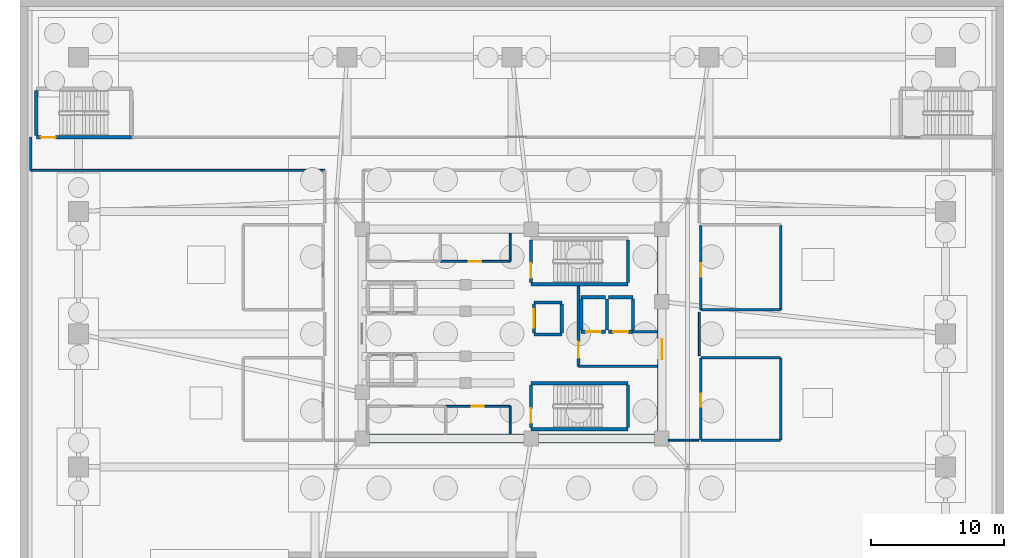
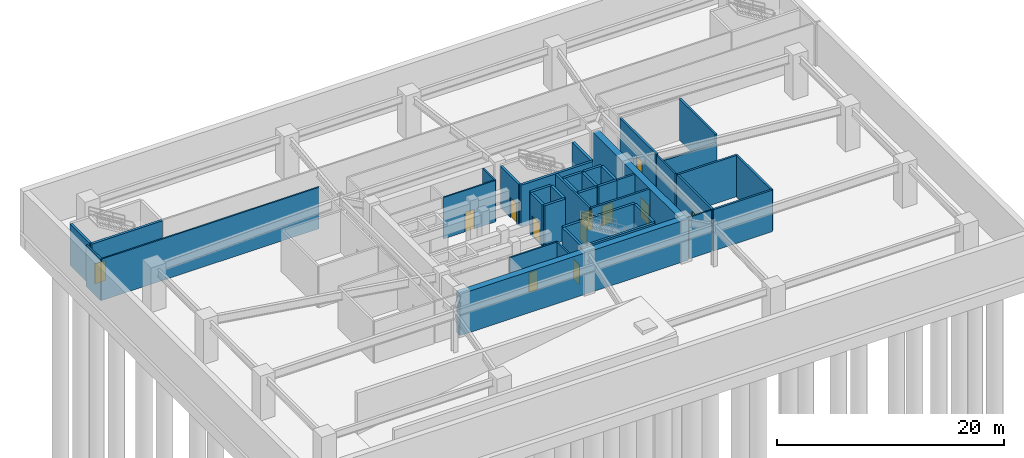
# One storey, part 5 of 8: 40 walls, 12 doors, 12 openings.
"""IFC4 building model written with IfcOpenShell, lengths in metres."""

import ifcopenshell
import ifcopenshell.guid

model = None  # the IFC model being written
_history = None  # IfcOwnerHistory: only IFC2X3 demands one
_inside = {}  # id of a spatial element -> (the spatial element, [elements in it])
_under = {}  # id of a project, library or spatial element -> (it, [spatial elements below it])
_declared = {}  # id of a project -> (the project, [libraries it declares])
_typed = {}  # id of a type object -> (the type object, [elements of that type])
_made_of = {}  # id of a material, layer set ... -> (it, [elements and type objects made of it])


def new_model(schema):
    """Start an empty IFC model of exactly this schema.

    Asked for "IFC4X3", IfcOpenShell would pick the latest addendum, in which some entities
    have other attributes; the version numbers below select the first issue.
    IFC2X3 requires an IfcOwnerHistory on every rooted entity: one is made here for all.
    """
    global model, _history
    if schema == "IFC4X3":
        model = ifcopenshell.file(schema_version=(4, 3, 0, 0))
    else:
        model = ifcopenshell.file(schema=schema)
    _inside.clear()
    _under.clear()
    _declared.clear()
    _typed.clear()
    _made_of.clear()
    _history = None
    if model.schema == "IFC2X3":
        org = make("IfcOrganization", Name="unknown")
        user = make(
            "IfcPersonAndOrganization",
            ThePerson=make("IfcPerson", FamilyName="unknown"),
            TheOrganization=org,
        )
        app = make(
            "IfcApplication",
            ApplicationDeveloper=org,
            Version="unknown",
            ApplicationFullName="unknown",
            ApplicationIdentifier="unknown",
        )
        _history = make(
            "IfcOwnerHistory",
            OwningUser=user,
            OwningApplication=app,
            ChangeAction="ADDED",
            CreationDate=0,
        )
    return model


def make(cls, **values):
    """One entity of the class cls with the attributes given. An attribute that is None is left unset."""
    return model.create_entity(
        cls, **{name: value for name, value in values.items() if value is not None}
    )


def rooted(cls, **values):
    """An entity with a GlobalId (a new one), such as an element, a storey or a relation."""
    return make(cls, GlobalId=ifcopenshell.guid.new(), OwnerHistory=_history, **values)


def si_unit(unit_type, name, prefix=None):
    """IfcSIUnit, for example si_unit("LENGTHUNIT", "METRE", prefix="MILLI")."""
    return make("IfcSIUnit", UnitType=unit_type, Prefix=prefix, Name=name)


def assignment(units):
    """IfcUnitAssignment: the units of a project."""
    return None if units is None else make("IfcUnitAssignment", Units=units)


def point(xyz):
    """IfcCartesianPoint."""
    return None if xyz is None else make("IfcCartesianPoint", Coordinates=xyz)


def direction(xyz):
    """IfcDirection."""
    return None if xyz is None else make("IfcDirection", DirectionRatios=xyz)


def frame(location, z_axis=None, x_axis=None):
    """IfcAxis2Placement3D, a coordinate frame: its origin and axes. An axis left out is left unset."""
    return make(
        "IfcAxis2Placement3D",
        Location=point(location),
        Axis=direction(z_axis),
        RefDirection=direction(x_axis),
    )


def frame_2d(location, x_axis=None):
    """IfcAxis2Placement2D, a coordinate frame in the plane: its origin and x axis."""
    return make(
        "IfcAxis2Placement2D", Location=point(location), RefDirection=direction(x_axis)
    )


def origin():
    """The frame at (0, 0, 0) with its axes left unset."""
    return frame((0.0, 0.0, 0.0))


def place(relative_to, where):
    """IfcLocalPlacement: puts the frame where relative to a parent placement (None: the world)."""
    return make(
        "IfcLocalPlacement", PlacementRelTo=relative_to, RelativePlacement=where
    )


def context(
    kind, dimensions, precision=None, world=None, true_north=None, identifier=None
):
    """IfcGeometricRepresentationContext, for example the 3D "Model" context."""
    return make(
        "IfcGeometricRepresentationContext",
        ContextIdentifier=identifier,
        ContextType=kind,
        CoordinateSpaceDimension=dimensions,
        Precision=precision,
        WorldCoordinateSystem=world,
        TrueNorth=true_north,
    )


def subcontext(parent, identifier, kind, view, scale=None):
    """IfcGeometricRepresentationSubContext, for example "Body" below "Model"."""
    return make(
        "IfcGeometricRepresentationSubContext",
        ContextIdentifier=identifier,
        ContextType=kind,
        ParentContext=parent,
        TargetScale=scale,
        TargetView=view,
    )


def project(units=None, contexts=None):
    """IfcProject with its units and contexts."""
    return rooted(
        "IfcProject",
        Name="project",
        RepresentationContexts=contexts,
        UnitsInContext=assignment(units),
    )


def spatial(cls, under=None, at=None, **own):
    """A site, building, storey or space (cls), placed at a placement, below another one or the project."""
    s = rooted(cls, ObjectPlacement=at, **own)
    if under is not None:
        _under.setdefault(under.id(), (under, []))[1].append(s)
    return s


def profile(cls, at=None, kind="AREA", **sizes):
    """A parametric profile (cls). Its sizes go by their IFC names, for example OverallWidth=200.0."""
    return make(cls, ProfileType=kind, Position=at, **sizes)


def rectangle(**sizes):
    """IfcRectangleProfileDef."""
    return profile("IfcRectangleProfileDef", **sizes)


def extrude(swept, where, along, depth):
    """IfcExtrudedAreaSolid: the profile swept, set in the frame where, extruded along a direction by depth."""
    return make(
        "IfcExtrudedAreaSolid",
        SweptArea=swept,
        Position=where,
        ExtrudedDirection=direction(along),
        Depth=depth,
    )


def shape(context_of_items, identifier, shape_type, items):
    """IfcShapeRepresentation: the items that make up one representation, for example the "Body"."""
    return make(
        "IfcShapeRepresentation",
        ContextOfItems=context_of_items,
        RepresentationIdentifier=identifier,
        RepresentationType=shape_type,
        Items=items,
    )


def material(Name=None, Category=None):
    """IfcMaterial."""
    return make("IfcMaterial", Name=Name, Category=Category)


def layer(
    of_material, thickness, ventilated=None, Name=None, Category=None, Priority=None
):
    """IfcMaterialLayer: one layer of a wall or slab, of a material (None: an air gap)."""
    return make(
        "IfcMaterialLayer",
        Material=of_material,
        LayerThickness=thickness,
        IsVentilated=ventilated,
        Name=Name,
        Category=Category,
        Priority=Priority,
    )


def layer_set(layers, Name=None):
    """IfcMaterialLayerSet."""
    return make("IfcMaterialLayerSet", MaterialLayers=layers, LayerSetName=Name)


def made_of(thing, what):
    """Note that an element or type object is made of a material, layer set ...; save() writes the relation."""
    if what is not None:
        _made_of.setdefault(what.id(), (what, []))[1].append(thing)
    return thing


def type_object(cls, material=None, **own):
    """A type object (cls), such as IfcWallType, which elements share."""
    return made_of(rooted(cls, **own), material)


def element(
    cls,
    number,
    at=None,
    inside=None,
    cuts=None,
    type_object=None,
    material=None,
    context=None,
    identifier="Body",
    shape_type=None,
    held_by="IfcProductDefinitionShape",
    body=None,
    shapes=None,
    **own,
):
    """One element of the class cls, such as IfcWall. Its Tag is "e" and its number.

    at: its placement. inside: the storey or other place that contains it. cuts: it is an
    opening in that element (IfcRelVoidsElement). A single representation is given by context,
    identifier, shape_type and body (its items); several are given by shapes. held_by: the class
    of the entity that holds the representations. save() writes the other relations.
    """
    e = rooted(cls, Tag="e%d" % number, ObjectPlacement=at, **own)
    if body is not None:
        shapes = [shape(context, identifier, shape_type, body)]
    if shapes is not None:
        e.Representation = make(held_by, Representations=shapes)
    if inside is not None:
        _inside.setdefault(inside.id(), (inside, []))[1].append(e)
    if cuts is not None:
        rooted(
            "IfcRelVoidsElement", RelatingBuildingElement=cuts, RelatedOpeningElement=e
        )
    if type_object is not None:
        _typed.setdefault(type_object.id(), (type_object, []))[1].append(e)
    return made_of(e, material)


def fill(opening, filler):
    """IfcRelFillsElement: the door or window that sits in an opening."""
    return rooted(
        "IfcRelFillsElement",
        RelatingOpeningElement=opening,
        RelatedBuildingElement=filler,
    )


def aggregate(whole, parts):
    """IfcRelAggregates: a whole, such as a stair, and the parts it consists of."""
    return rooted("IfcRelAggregates", RelatingObject=whole, RelatedObjects=parts)


def save(model, path):
    """Write the relations noted so far, then the file.

    IfcRelAggregates (storeys below a building ...), IfcRelContainedInSpatialStructure (elements
    in a storey), IfcRelDefinesByType, IfcRelAssociatesMaterial and IfcRelDeclares: one each for
    every whole, place, type object, material and project.
    """
    for whole, parts in _under.values():
        aggregate(whole, parts)
    for where, things in _inside.values():
        rooted(
            "IfcRelContainedInSpatialStructure",
            RelatedElements=things,
            RelatingStructure=where,
        )
    for kind, things in _typed.values():
        rooted("IfcRelDefinesByType", RelatedObjects=things, RelatingType=kind)
    for what, things in _made_of.values():
        rooted("IfcRelAssociatesMaterial", RelatedObjects=things, RelatingMaterial=what)
    for by, libraries in _declared.values():
        rooted("IfcRelDeclares", RelatingContext=by, RelatedDefinitions=libraries)
    model.write(path)


model = new_model("IFC4")

# Units and contexts
model_context = context("Model", 3, precision=1e-05, world=origin(), true_north=direction((0.0, 1.0)))
body_context = subcontext(model_context, "Body", "Model", "MODEL_VIEW")
ifc_project = project(units=[si_unit("LENGTHUNIT", "METRE"), si_unit("AREAUNIT", "SQUARE_METRE"), si_unit("VOLUMEUNIT", "CUBIC_METRE"), si_unit("PLANEANGLEUNIT", "RADIAN"), si_unit("MASSUNIT", "GRAM", prefix="KILO")], contexts=[model_context])

# Site, building, storey
site_placement = place(None, origin())
site = spatial("IfcSite", under=ifc_project, at=site_placement, CompositionType="ELEMENT")
building_placement = place(site_placement, origin())
building = spatial("IfcBuilding", under=site, at=building_placement, Name="Zulverin Broadcast Headquarters", CompositionType="ELEMENT")
storey_placement = place(building_placement, frame((0.0, 0.0, -9.60009765625)))
storey = spatial("IfcBuildingStorey", under=building, at=storey_placement, Name="B2", CompositionType="ELEMENT", Elevation=-9.60009765625)

# Wall
ifc_material_1 = material(Name="Concrete C60/75", Category="concrete")
ifc_layer_1 = layer(ifc_material_1, 0.64990234375, Name="Concrete C60/75", Category="concrete")
ifc_layer_set_1 = layer_set([ifc_layer_1], Name="Concrete C60/75")
wall_type_1 = type_object("IfcWallType", Name="WL-CORE-650", PredefinedType="SHEAR", material=ifc_layer_set_1)
wall_1_placement = place(storey_placement, frame((25.39990234375, 17.324951171875, 0.0), z_axis=(0.0, 0.0, 1.0), x_axis=(1.0, 0.0, 0.0)))
element("IfcWall", 1, at=wall_1_placement, inside=storey, type_object=wall_type_1, Name="B2 Core South Shear Wall", PredefinedType="SHEAR", context=body_context, shape_type="SweptSolid", body=[
    extrude(rectangle(XDim=23.2001953125, YDim=0.64990234375, at=frame_2d((11.60009765625, 0.0))), origin(), (0.0, 0.0, 1.0), 4.4501953125),
])

# Wall, opening, door
wall_2_placement = place(storey_placement, frame((48.27490234375, 17.64990234375, 0.0), z_axis=(0.0, 0.0, 1.0), x_axis=(0.0, 1.0, 0.0)))
wall_2 = element("IfcWall", 2, at=wall_2_placement, inside=storey, type_object=wall_type_1, Name="B2 Core East Shear Wall", PredefinedType="SHEAR", context=body_context, shape_type="SweptSolid", body=[
    extrude(rectangle(XDim=15.10009765625, YDim=0.64990234375, at=frame_2d((7.550048828125, 0.0))), origin(), (0.0, 0.0, 1.0), 4.4501953125),
])
opening_1_placement = place(wall_2_placement, frame((5.64990234375, 0.0, 0.0)))
opening_1 = element("IfcOpeningElement", 3, at=opening_1_placement, cuts=wall_2, Name="Opening D-B2-CE1", PredefinedType="OPENING", context=body_context, shape_type="SweptSolid", body=[
    extrude(rectangle(XDim=1.5, YDim=2.14990234375, at=frame_2d((0.75, 1.074951171875))), frame((0.0, 0.3349609375, 0.0), z_axis=(0.0, -1.0, 0.0), x_axis=(1.0, 0.0, 0.0)), (0.0, 0.0, 1.0), 0.669921875),
])
ifc_material_2 = material(Name="Fire-rated glazed steel frame", Category="steel")
door_type_1 = type_object("IfcDoorType", Name="DR-COR-1500", OperationType="DOUBLE_DOOR_SINGLE_SWING", PredefinedType="DOOR", material=ifc_material_2)
door_1_placement = place(opening_1_placement, origin())
door_1 = element("IfcDoor", 4, at=door_1_placement, inside=storey, type_object=door_type_1, Name="B2 Firefighting Lobby East Corridor Door", OperationType="DOUBLE_DOOR_SINGLE_SWING", OverallHeight=2.14990234375, OverallWidth=1.5, PredefinedType="DOOR", context=body_context, shape_type="SweptSolid", body=[
    extrude(rectangle(XDim=1.5, YDim=2.14990234375, at=frame_2d((0.75, 1.074951171875))), frame((0.0, 0.02490234375, 0.0), z_axis=(0.0, -1.0, 0.0), x_axis=(1.0, 0.0, 0.0)), (0.0, 0.0, 1.0), 0.050048828125),
])
fill(opening_1, door_1)

ifc_material_3 = material(Name="Concrete C40/50", Category="concrete")
ifc_layer_2 = layer(ifc_material_3, 0.199951171875, Name="Concrete C40/50", Category="concrete")
ifc_layer_set_2 = layer_set([ifc_layer_2], Name="Concrete C40/50")
wall_type_2 = type_object("IfcWallType", Name="WL-FFL-200", PredefinedType="SOLIDWALL", material=ifc_layer_set_2)
wall_3_placement = place(storey_placement, frame((42.0, 22.75, 0.0), z_axis=(0.0, 0.0, 1.0), x_axis=(0.0, 1.0, 0.0)))
wall_3 = element("IfcWall", 5, at=wall_3_placement, inside=storey, type_object=wall_type_2, Name="B2 Firefighting Lift Lobby West Wall", PredefinedType="SOLIDWALL", context=body_context, shape_type="SweptSolid", body=[
    extrude(rectangle(XDim=6.050048828125, YDim=0.199951171875, at=frame_2d((3.02490234375, 0.0))), origin(), (0.0, 0.0, 1.0), 4.4501953125),
])
opening_2_placement = place(wall_3_placement, frame((0.64990234375, 0.0, 0.0)))
opening_2 = element("IfcOpeningElement", 6, at=opening_2_placement, cuts=wall_3, Name="Opening D-B2-FFLW", PredefinedType="OPENING", context=body_context, shape_type="SweptSolid", body=[
    extrude(rectangle(XDim=1.199951171875, YDim=2.14990234375, at=frame_2d((0.60009765625, 1.074951171875))), frame((0.0, 0.10986328125, 0.0), z_axis=(0.0, -1.0, 0.0), x_axis=(1.0, 0.0, 0.0)), (0.0, 0.0, 1.0), 0.219970703125),
])
ifc_material_4 = material(Name="Fire-rated steel leaf and frame", Category="steel")
door_type_2 = type_object("IfcDoorType", Name="DR-FFL-1200", OperationType="SINGLE_SWING_RIGHT", PredefinedType="DOOR", material=ifc_material_4)
door_2_placement = place(opening_2_placement, origin())
door_2 = element("IfcDoor", 7, at=door_2_placement, inside=storey, type_object=door_type_2, Name="B2 Firefighting Lift Lobby Door", OperationType="SINGLE_SWING_RIGHT", OverallHeight=2.14990234375, OverallWidth=1.199951171875, PredefinedType="DOOR", context=body_context, shape_type="SweptSolid", body=[
    extrude(rectangle(XDim=1.199951171875, YDim=2.14990234375, at=frame_2d((0.60009765625, 1.074951171875))), frame((0.0, 0.02490234375, 0.0), z_axis=(0.0, -1.0, 0.0), x_axis=(1.0, 0.0, 0.0)), (0.0, 0.0, 1.0), 0.050048828125),
])
fill(opening_2, door_2)

# Walls
wall_4_placement = place(storey_placement, frame((42.0, 22.75, 0.0), z_axis=(0.0, 0.0, 1.0), x_axis=(1.0, 0.0, 0.0)))
element("IfcWall", 8, at=wall_4_placement, inside=storey, type_object=wall_type_2, Name="B2 Firefighting Lift Lobby South Wall", PredefinedType="SOLIDWALL", context=body_context, shape_type="SweptSolid", body=[
    extrude(rectangle(XDim=5.949951171875, YDim=0.199951171875, at=frame_2d((2.97509765625, 0.0))), origin(), (0.0, 0.0, 1.0), 4.4501953125),
])
wall_5_placement = place(storey_placement, frame((46.10009765625, 25.35009765625, 0.0), z_axis=(0.0, 0.0, 1.0), x_axis=(1.0, 0.0, 0.0)))
element("IfcWall", 9, at=wall_5_placement, inside=storey, type_object=wall_type_2, Name="B2 Firefighting Lift Lobby North Wall", PredefinedType="SOLIDWALL", context=body_context, shape_type="SweptSolid", body=[
    extrude(rectangle(XDim=1.849853515625, YDim=0.199951171875, at=frame_2d((0.9248046875, 0.0))), origin(), (0.0, 0.0, 1.0), 4.4501953125),
])
for number, where, z_axis, x_axis, name in (
    (10, (51.199951171875, 17.199951171875, 0.0), (0.0, 0.0, 1.0), (1.0, 0.0, 0.0), "B2 Sprinkler & Wet Riser Tank Room S Wall"),
    (11, (51.199951171875, 23.39990234375, 0.0), (0.0, 0.0, 1.0), (1.0, 0.0, 0.0), "B2 Sprinkler & Wet Riser Tank Room N Wall"),
):
    element("IfcWall", number, at=place(storey_placement, frame(where, z_axis=z_axis, x_axis=x_axis)), inside=storey, type_object=wall_type_2, Name=name, PredefinedType="SOLIDWALL", context=body_context, shape_type="SweptSolid", body=[
        extrude(rectangle(XDim=6.0, YDim=0.199951171875, at=frame_2d((3.0, 0.0))), origin(), (0.0, 0.0, 1.0), 4.4501953125),
    ])

# Wall, opening, door
wall_6_placement = place(storey_placement, frame((51.199951171875, 17.199951171875, 0.0), z_axis=(0.0, 0.0, 1.0), x_axis=(0.0, 1.0, 0.0)))
wall_6 = element("IfcWall", 12, at=wall_6_placement, inside=storey, type_object=wall_type_2, Name="B2 Sprinkler & Wet Riser Tank Room W Wall", PredefinedType="SOLIDWALL", context=body_context, shape_type="SweptSolid", body=[
    extrude(rectangle(XDim=6.199951171875, YDim=0.199951171875, at=frame_2d((3.10009765625, 0.0))), origin(), (0.0, 0.0, 1.0), 4.4501953125),
])
opening_3_placement = place(wall_6_placement, frame((2.5, 0.0, 0.0)))
opening_3 = element("IfcOpeningElement", 13, at=opening_3_placement, cuts=wall_6, Name="Opening D-B2-PLT3", PredefinedType="OPENING", context=body_context, shape_type="SweptSolid", body=[
    extrude(rectangle(XDim=1.0, YDim=2.1201171875, at=frame_2d((0.5, 1.06005859375))), frame((0.0, 0.10986328125, 0.0), z_axis=(0.0, -1.0, 0.0), x_axis=(1.0, 0.0, 0.0)), (0.0, 0.0, 1.0), 0.219970703125),
])
ifc_material_5 = material(Name="Hardwood veneer acoustic leaf", Category="wood")
door_type_3 = type_object("IfcDoorType", Name="DR-OFF-1000", OperationType="SINGLE_SWING_LEFT", PredefinedType="DOOR", material=ifc_material_5)
door_3_placement = place(opening_3_placement, origin())
door_3 = element("IfcDoor", 14, at=door_3_placement, inside=storey, type_object=door_type_3, Name="B2 Sprinkler & Wet Riser Tank Room Door", OperationType="SINGLE_SWING_LEFT", OverallHeight=2.1201171875, OverallWidth=1.0, PredefinedType="DOOR", context=body_context, shape_type="SweptSolid", body=[
    extrude(rectangle(XDim=1.0, YDim=2.1201171875, at=frame_2d((0.5, 1.06005859375))), frame((0.0, 0.02490234375, 0.0), z_axis=(0.0, -1.0, 0.0), x_axis=(1.0, 0.0, 0.0)), (0.0, 0.0, 1.0), 0.050048828125),
])
fill(opening_3, door_3)

# Walls
wall_7_placement = place(storey_placement, frame((57.199951171875, 17.199951171875, 0.0), z_axis=(0.0, 0.0, 1.0), x_axis=(0.0, 1.0, 0.0)))
element("IfcWall", 15, at=wall_7_placement, inside=storey, type_object=wall_type_2, Name="B2 Sprinkler & Wet Riser Tank Room E Wall", PredefinedType="SOLIDWALL", context=body_context, shape_type="SweptSolid", body=[
    extrude(rectangle(XDim=6.199951171875, YDim=0.199951171875, at=frame_2d((3.10009765625, 0.0))), origin(), (0.0, 0.0, 1.0), 4.4501953125),
])
wall_8_placement = place(storey_placement, frame((51.199951171875, 27.0, 0.0), z_axis=(0.0, 0.0, 1.0), x_axis=(1.0, 0.0, 0.0)))
element("IfcWall", 16, at=wall_8_placement, inside=storey, type_object=wall_type_2, Name="B2 Basement Smoke Extract Fan Plant Room S Wall", PredefinedType="SOLIDWALL", context=body_context, shape_type="SweptSolid", body=[
    extrude(rectangle(XDim=6.0, YDim=0.199951171875, at=frame_2d((3.0, 0.0))), origin(), (0.0, 0.0, 1.0), 3.550048828125),
])

# Wall, opening, door
wall_9_placement = place(storey_placement, frame((51.199951171875, 27.0, 0.0), z_axis=(0.0, 0.0, 1.0), x_axis=(0.0, 1.0, 0.0)))
wall_9 = element("IfcWall", 17, at=wall_9_placement, inside=storey, type_object=wall_type_2, Name="B2 Basement Smoke Extract Fan Plant Room W Wall", PredefinedType="SOLIDWALL", context=body_context, shape_type="SweptSolid", body=[
    extrude(rectangle(XDim=6.39990234375, YDim=0.199951171875, at=frame_2d((3.199951171875, 0.0))), origin(), (0.0, 0.0, 1.0), 4.4501953125),
])
opening_4_placement = place(wall_9_placement, frame((2.5, 0.0, 0.0)))
opening_4 = element("IfcOpeningElement", 18, at=opening_4_placement, cuts=wall_9, Name="Opening D-B2-PLT4", PredefinedType="OPENING", context=body_context, shape_type="SweptSolid", body=[
    extrude(rectangle(XDim=1.0, YDim=2.1201171875, at=frame_2d((0.5, 1.06005859375))), frame((0.0, 0.10986328125, 0.0), z_axis=(0.0, -1.0, 0.0), x_axis=(1.0, 0.0, 0.0)), (0.0, 0.0, 1.0), 0.219970703125),
])
door_4_placement = place(opening_4_placement, origin())
door_4 = element("IfcDoor", 19, at=door_4_placement, inside=storey, type_object=door_type_3, Name="B2 Basement Smoke Extract Fan Plant Room Door", OperationType="SINGLE_SWING_RIGHT", OverallHeight=2.1201171875, OverallWidth=1.0, PredefinedType="DOOR", context=body_context, shape_type="SweptSolid", body=[
    extrude(rectangle(XDim=1.0, YDim=2.1201171875, at=frame_2d((0.5, 1.06005859375))), frame((0.0, 0.02490234375, 0.0), z_axis=(0.0, -1.0, 0.0), x_axis=(1.0, 0.0, 0.0)), (0.0, 0.0, 1.0), 0.050048828125),
])
fill(opening_4, door_4)

# Wall
wall_10_placement = place(storey_placement, frame((57.199951171875, 27.0, 0.0), z_axis=(0.0, 0.0, 1.0), x_axis=(0.0, 1.0, 0.0)))
element("IfcWall", 20, at=wall_10_placement, inside=storey, type_object=wall_type_2, Name="B2 Basement Smoke Extract Fan Plant Room E Wall", PredefinedType="SOLIDWALL", context=body_context, shape_type="SweptSolid", body=[
    extrude(rectangle(XDim=6.39990234375, YDim=0.199951171875, at=frame_2d((3.199951171875, 0.0))), origin(), (0.0, 0.0, 1.0), 4.4501953125),
])

# Wall, opening, door
ifc_material_6 = material(Name="Fire-rated gypsum stud partition", Category="gypsum")
ifc_layer_3 = layer(ifc_material_6, 0.14990234375, Name="Fire-rated gypsum stud partition", Category="gypsum")
ifc_layer_set_3 = layer_set([ifc_layer_3], Name="Fire-rated gypsum stud partition")
wall_type_3 = type_object("IfcWallType", Name="WL-PART-150", PredefinedType="PARTITIONING", material=ifc_layer_set_3)
wall_11_placement = place(storey_placement, frame((31.590087890625, 30.64990234375, 0.0), z_axis=(0.0, 0.0, 1.0), x_axis=(1.0, 0.0, 0.0)))
wall_11 = element("IfcWall", 21, at=wall_11_placement, inside=storey, type_object=wall_type_3, Name="B2 Core Accessible WC Front Wall", PredefinedType="PARTITIONING", context=body_context, shape_type="SweptSolid", body=[
    extrude(rectangle(XDim=5.260009765625, YDim=0.14990234375, at=frame_2d((2.6298828125, 0.0))), origin(), (0.0, 0.0, 1.0), 4.4501953125),
])
opening_5_placement = place(wall_11_placement, frame((2.155029296875, 0.0, 0.0)))
opening_5 = element("IfcOpeningElement", 22, at=opening_5_placement, cuts=wall_11, Name="Opening D-B2-NC2", PredefinedType="OPENING", context=body_context, shape_type="SweptSolid", body=[
    extrude(rectangle(XDim=0.949951171875, YDim=2.10009765625, at=frame_2d((0.47509765625, 1.050048828125))), frame((0.0, 0.0849609375, 0.0), z_axis=(0.0, -1.0, 0.0), x_axis=(1.0, 0.0, 0.0)), (0.0, 0.0, 1.0), 0.169921875),
])
ifc_material_7 = material(Name="Fire-rated moisture-resistant laminate leaf", Category="wood")
door_type_4 = type_object("IfcDoorType", Name="DR-WC-950", OperationType="SINGLE_SWING_LEFT", PredefinedType="DOOR", material=ifc_material_7)
door_5_placement = place(opening_5_placement, origin())
door_5 = element("IfcDoor", 23, at=door_5_placement, inside=storey, type_object=door_type_4, Name="B2 Accessible WC Door", OperationType="SINGLE_SWING_RIGHT", OverallHeight=2.10009765625, OverallWidth=0.949951171875, PredefinedType="DOOR", context=body_context, shape_type="SweptSolid", body=[
    extrude(rectangle(XDim=0.949951171875, YDim=2.10009765625, at=frame_2d((0.47509765625, 1.050048828125))), frame((0.0, 0.02490234375, 0.0), z_axis=(0.0, -1.0, 0.0), x_axis=(1.0, 0.0, 0.0)), (0.0, 0.0, 1.0), 0.050048828125),
])
fill(opening_5, door_5)

# Wall
wall_12_placement = place(storey_placement, frame((36.85009765625, 30.64990234375, 0.0), z_axis=(0.0, 0.0, 1.0), x_axis=(0.0, 1.0, 0.0)))
element("IfcWall", 24, at=wall_12_placement, inside=storey, type_object=wall_type_3, Name="B2 Core Accessible WC East Wall", PredefinedType="PARTITIONING", context=body_context, shape_type="SweptSolid", body=[
    extrude(rectangle(XDim=2.10009765625, YDim=0.14990234375, at=frame_2d((1.050048828125, 0.0))), origin(), (0.0, 0.0, 1.0), 4.4501953125),
])

# Wall, opening, door
wall_13_placement = place(storey_placement, frame((32.02001953125, 19.75, 0.0), z_axis=(0.0, 0.0, 1.0), x_axis=(1.0, 0.0, 0.0)))
wall_13 = element("IfcWall", 25, at=wall_13_placement, inside=storey, type_object=wall_type_3, Name="B2 Core Cleaner Store & Telecoms Riser Front Wall", PredefinedType="PARTITIONING", context=body_context, shape_type="SweptSolid", body=[
    extrude(rectangle(XDim=4.830078125, YDim=0.14990234375, at=frame_2d((2.4150390625, 0.0))), origin(), (0.0, 0.0, 1.0), 4.4501953125),
])
opening_6_placement = place(wall_13_placement, frame((1.965087890625, 0.0, 0.0)))
opening_6 = element("IfcOpeningElement", 26, at=opening_6_placement, cuts=wall_13, Name="Opening D-B2-SC2", PredefinedType="OPENING", context=body_context, shape_type="SweptSolid", body=[
    extrude(rectangle(XDim=0.89990234375, YDim=2.10009765625, at=frame_2d((0.449951171875, 1.050048828125))), frame((0.0, 0.0849609375, 0.0), z_axis=(0.0, -1.0, 0.0), x_axis=(1.0, 0.0, 0.0)), (0.0, 0.0, 1.0), 0.169921875),
])
ifc_material_8 = material(Name="Powder-coated steel access leaf", Category="steel")
door_type_5 = type_object("IfcDoorType", Name="DR-RISER-900", OperationType="SINGLE_SWING_LEFT", PredefinedType="DOOR", material=ifc_material_8)
door_6_placement = place(opening_6_placement, origin())
door_6 = element("IfcDoor", 27, at=door_6_placement, inside=storey, type_object=door_type_5, Name="B2 Cleaner Store & Telecoms Riser Door", OperationType="SINGLE_SWING_RIGHT", OverallHeight=2.10009765625, OverallWidth=0.89990234375, PredefinedType="DOOR", context=body_context, shape_type="SweptSolid", body=[
    extrude(rectangle(XDim=0.89990234375, YDim=2.10009765625, at=frame_2d((0.449951171875, 1.050048828125))), frame((0.0, 0.02490234375, 0.0), z_axis=(0.0, -1.0, 0.0), x_axis=(1.0, 0.0, 0.0)), (0.0, 0.0, 1.0), 0.050048828125),
])
fill(opening_6, door_6)

# Walls
wall_14_placement = place(storey_placement, frame((36.85009765625, 17.64990234375, 0.0), z_axis=(0.0, 0.0, 1.0), x_axis=(0.0, 1.0, 0.0)))
element("IfcWall", 28, at=wall_14_placement, inside=storey, type_object=wall_type_3, Name="B2 Core Cleaner Store & Telecoms Riser East Wall", PredefinedType="PARTITIONING", context=body_context, shape_type="SweptSolid", body=[
    extrude(rectangle(XDim=2.10009765625, YDim=0.14990234375, at=frame_2d((1.050048828125, 0.0))), origin(), (0.0, 0.0, 1.0), 4.4501953125),
])
wall_15_placement = place(storey_placement, frame((51.10009765625, 23.56005859375, 0.0), z_axis=(0.0, 0.0, 1.0), x_axis=(0.0, 1.0, 0.0)))
element("IfcWall", 29, at=wall_15_placement, inside=storey, type_object=wall_type_3, Name="B2 Gallery Partition Wall CG-02", PredefinedType="PARTITIONING", context=body_context, shape_type="SweptSolid", body=[
    extrude(rectangle(XDim=3.280029296875, YDim=0.14990234375, at=frame_2d((1.64013671875, 0.0))), origin(), (0.0, 0.0, 1.0), 4.4501953125),
])
wall_16_placement = place(storey_placement, frame((48.739990234375, 17.199951171875, 0.0), z_axis=(0.0, 0.0, 1.0), x_axis=(1.0, 0.0, 0.0)))
element("IfcWall", 30, at=wall_16_placement, inside=storey, type_object=wall_type_3, Name="B2 Gallery Partition Wall CG-10", PredefinedType="PARTITIONING", context=body_context, shape_type="SweptSolid", body=[
    extrude(rectangle(XDim=2.300048828125, YDim=0.14990234375, at=frame_2d((1.14990234375, 0.0))), origin(), (0.0, 0.0, 1.0), 4.4501953125),
])
wall_17_placement = place(storey_placement, frame((0.800048828125, 37.5, 0.0), z_axis=(0.0, 0.0, 1.0), x_axis=(1.0, 0.0, 0.0)))
element("IfcWall", 31, at=wall_17_placement, inside=storey, type_object=wall_type_3, Name="B2 Gallery Partition Wall CG-11", PredefinedType="PARTITIONING", context=body_context, shape_type="SweptSolid", body=[
    extrude(rectangle(XDim=22.099853515625, YDim=0.14990234375, at=frame_2d((11.0498046875, 0.0))), origin(), (0.0, 0.0, 1.0), 4.4501953125),
])
ifc_material_9 = material(Name="Fire-rated acoustic stud wall", Category="gypsum")
ifc_layer_4 = layer(ifc_material_9, 0.175048828125, Name="Fire-rated acoustic stud wall", Category="gypsum")
ifc_layer_set_4 = layer_set([ifc_layer_4], Name="Fire-rated acoustic stud wall")
wall_type_4 = type_object("IfcWallType", Name="WL-PART-175", PredefinedType="PARTITIONING", material=ifc_layer_set_4)
wall_18_placement = place(storey_placement, frame((0.800048828125, 37.5, 0.0), z_axis=(0.0, 0.0, 1.0), x_axis=(0.0, 1.0, 0.0)))
element("IfcWall", 32, at=wall_18_placement, inside=storey, type_object=wall_type_4, Name="B2 Gallery Partition Wall CG-08", PredefinedType="PARTITIONING", context=body_context, shape_type="SweptSolid", body=[
    extrude(rectangle(XDim=2.5, YDim=0.175048828125, at=frame_2d((1.25, 0.0))), origin(), (0.0, 0.0, 1.0), 4.4501953125),
])
ifc_material_10 = material(Name="Concrete C50/60", Category="concrete")
ifc_layer_5 = layer(ifc_material_10, 0.25, Name="Concrete C50/60", Category="concrete")
ifc_layer_set_5 = layer_set([ifc_layer_5], Name="Concrete C50/60")
wall_type_5 = type_object("IfcWallType", Name="WL-SHAFT-250", PredefinedType="SHEAR", material=ifc_layer_set_5)
wall_19_placement = place(storey_placement, frame((38.425048828125, 28.925048828125, 0.0), z_axis=(0.0, 0.0, 1.0), x_axis=(1.0, 0.0, 0.0)))
element("IfcWall", 33, at=wall_19_placement, inside=storey, type_object=wall_type_5, Name="B2 ST-1 Enclosure Wall S", PredefinedType="SHEAR", context=body_context, shape_type="SweptSolid", body=[
    extrude(rectangle(XDim=7.300048828125, YDim=0.25, at=frame_2d((3.64990234375, 0.0))), origin(), (0.0, 0.0, 1.0), 4.4501953125),
])

# Wall, opening, door
wall_20_placement = place(storey_placement, frame((38.425048828125, 29.050048828125, 0.0), z_axis=(0.0, 0.0, 1.0), x_axis=(0.0, 1.0, 0.0)))
wall_20 = element("IfcWall", 34, at=wall_20_placement, inside=storey, type_object=wall_type_5, Name="B2 ST-1 Enclosure Wall W", PredefinedType="SHEAR", context=body_context, shape_type="SweptSolid", body=[
    extrude(rectangle(XDim=3.199951171875, YDim=0.25, at=frame_2d((1.60009765625, 0.0))), origin(), (0.0, 0.0, 1.0), 4.4501953125),
])
opening_7_placement = place(wall_20_placement, frame((0.35009765625, 0.0, 0.0)))
opening_7 = element("IfcOpeningElement", 35, at=opening_7_placement, cuts=wall_20, Name="Opening D-B2-ST-1", PredefinedType="OPENING", context=body_context, shape_type="SweptSolid", body=[
    extrude(rectangle(XDim=1.10009765625, YDim=2.14990234375, at=frame_2d((0.550048828125, 1.074951171875))), frame((0.0, 0.135009765625, 0.0), z_axis=(0.0, -1.0, 0.0), x_axis=(1.0, 0.0, 0.0)), (0.0, 0.0, 1.0), 0.27001953125),
])
door_type_6 = type_object("IfcDoorType", Name="DR-STAIR-1100", OperationType="SINGLE_SWING_LEFT", PredefinedType="DOOR", material=ifc_material_4)
door_7_placement = place(opening_7_placement, origin())
door_7 = element("IfcDoor", 36, at=door_7_placement, inside=storey, type_object=door_type_6, Name="B2 Exit Stair ST-1 Fire Door", OperationType="SINGLE_SWING_LEFT", OverallHeight=2.14990234375, OverallWidth=1.10009765625, PredefinedType="DOOR", context=body_context, shape_type="SweptSolid", body=[
    extrude(rectangle(XDim=1.10009765625, YDim=2.14990234375, at=frame_2d((0.550048828125, 1.074951171875))), frame((0.0, 0.02490234375, 0.0), z_axis=(0.0, -1.0, 0.0), x_axis=(1.0, 0.0, 0.0)), (0.0, 0.0, 1.0), 0.050048828125),
])
fill(opening_7, door_7)

# Walls
wall_21_placement = place(storey_placement, frame((45.72509765625, 29.050048828125, 0.0), z_axis=(0.0, 0.0, 1.0), x_axis=(0.0, 1.0, 0.0)))
element("IfcWall", 37, at=wall_21_placement, inside=storey, type_object=wall_type_5, Name="B2 ST-1 Enclosure Wall E", PredefinedType="SHEAR", context=body_context, shape_type="SweptSolid", body=[
    extrude(rectangle(XDim=3.199951171875, YDim=0.25, at=frame_2d((1.60009765625, 0.0))), origin(), (0.0, 0.0, 1.0), 4.4501953125),
])
for number, where, z_axis, x_axis, name in (
    (38, (38.425048828125, 18.02490234375, 0.0), (0.0, 0.0, 1.0), (1.0, 0.0, 0.0), "B2 ST-2 Enclosure Wall S"),
    (39, (38.425048828125, 21.47509765625, 0.0), (0.0, 0.0, 1.0), (1.0, 0.0, 0.0), "B2 ST-2 Enclosure Wall N"),
):
    element("IfcWall", number, at=place(storey_placement, frame(where, z_axis=z_axis, x_axis=x_axis)), inside=storey, type_object=wall_type_5, Name=name, PredefinedType="SHEAR", context=body_context, shape_type="SweptSolid", body=[
        extrude(rectangle(XDim=7.300048828125, YDim=0.25, at=frame_2d((3.64990234375, 0.0))), origin(), (0.0, 0.0, 1.0), 4.4501953125),
    ])

# Wall, opening, door
wall_22_placement = place(storey_placement, frame((38.425048828125, 18.14990234375, 0.0), z_axis=(0.0, 0.0, 1.0), x_axis=(0.0, 1.0, 0.0)))
wall_22 = element("IfcWall", 40, at=wall_22_placement, inside=storey, type_object=wall_type_5, Name="B2 ST-2 Enclosure Wall W", PredefinedType="SHEAR", context=body_context, shape_type="SweptSolid", body=[
    extrude(rectangle(XDim=3.2001953125, YDim=0.25, at=frame_2d((1.60009765625, 0.0))), origin(), (0.0, 0.0, 1.0), 4.4501953125),
])
opening_8_placement = place(wall_22_placement, frame((0.35009765625, 0.0, 0.0)))
opening_8 = element("IfcOpeningElement", 41, at=opening_8_placement, cuts=wall_22, Name="Opening D-B2-ST-2", PredefinedType="OPENING", context=body_context, shape_type="SweptSolid", body=[
    extrude(rectangle(XDim=1.10009765625, YDim=2.14990234375, at=frame_2d((0.550048828125, 1.074951171875))), frame((0.0, 0.135009765625, 0.0), z_axis=(0.0, -1.0, 0.0), x_axis=(1.0, 0.0, 0.0)), (0.0, 0.0, 1.0), 0.27001953125),
])
door_8_placement = place(opening_8_placement, origin())
door_8 = element("IfcDoor", 42, at=door_8_placement, inside=storey, type_object=door_type_6, Name="B2 Exit Stair ST-2 Fire Door", OperationType="SINGLE_SWING_RIGHT", OverallHeight=2.14990234375, OverallWidth=1.10009765625, PredefinedType="DOOR", context=body_context, shape_type="SweptSolid", body=[
    extrude(rectangle(XDim=1.10009765625, YDim=2.14990234375, at=frame_2d((0.550048828125, 1.074951171875))), frame((0.0, 0.02490234375, 0.0), z_axis=(0.0, -1.0, 0.0), x_axis=(1.0, 0.0, 0.0)), (0.0, 0.0, 1.0), 0.050048828125),
])
fill(opening_8, door_8)

# Wall
wall_23_placement = place(storey_placement, frame((45.72509765625, 18.14990234375, 0.0), z_axis=(0.0, 0.0, 1.0), x_axis=(0.0, 1.0, 0.0)))
element("IfcWall", 43, at=wall_23_placement, inside=storey, type_object=wall_type_5, Name="B2 ST-2 Enclosure Wall E", PredefinedType="SHEAR", context=body_context, shape_type="SweptSolid", body=[
    extrude(rectangle(XDim=3.2001953125, YDim=0.25, at=frame_2d((1.60009765625, 0.0))), origin(), (0.0, 0.0, 1.0), 4.4501953125),
])

# Wall, opening, door
wall_24_placement = place(storey_placement, frame((1.22509765625, 39.97509765625, 0.0), z_axis=(0.0, 0.0, 1.0), x_axis=(1.0, 0.0, 0.0)))
wall_24 = element("IfcWall", 44, at=wall_24_placement, inside=storey, type_object=wall_type_5, Name="B2 ST-3 Enclosure Wall S", PredefinedType="SHEAR", context=body_context, shape_type="SweptSolid", body=[
    extrude(rectangle(XDim=7.14990234375, YDim=0.25, at=frame_2d((3.574951171875, 0.0))), origin(), (0.0, 0.0, 1.0), 4.4501953125),
])
opening_9_placement = place(wall_24_placement, frame((0.35009765625, 0.0, 0.0)))
opening_9 = element("IfcOpeningElement", 45, at=opening_9_placement, cuts=wall_24, Name="Opening D-B2-ST-3", PredefinedType="OPENING", context=body_context, shape_type="SweptSolid", body=[
    extrude(rectangle(XDim=1.10009765625, YDim=2.14990234375, at=frame_2d((0.550048828125, 1.074951171875))), frame((0.0, 0.135009765625, 0.0), z_axis=(0.0, -1.0, 0.0), x_axis=(1.0, 0.0, 0.0)), (0.0, 0.0, 1.0), 0.27001953125),
])
door_9_placement = place(opening_9_placement, origin())
door_9 = element("IfcDoor", 46, at=door_9_placement, inside=storey, type_object=door_type_6, Name="B2 Exit Stair ST-3 Fire Door", OperationType="SINGLE_SWING_LEFT", OverallHeight=2.14990234375, OverallWidth=1.10009765625, PredefinedType="DOOR", context=body_context, shape_type="SweptSolid", body=[
    extrude(rectangle(XDim=1.10009765625, YDim=2.14990234375, at=frame_2d((0.550048828125, 1.074951171875))), frame((0.0, 0.02490234375, 0.0), z_axis=(0.0, -1.0, 0.0), x_axis=(1.0, 0.0, 0.0)), (0.0, 0.0, 1.0), 0.050048828125),
])
fill(opening_9, door_9)

# Wall
wall_25_placement = place(storey_placement, frame((1.22509765625, 40.10009765625, 0.0), z_axis=(0.0, 0.0, 1.0), x_axis=(0.0, 1.0, 0.0)))
element("IfcWall", 47, at=wall_25_placement, inside=storey, type_object=wall_type_5, Name="B2 ST-3 Enclosure Wall W", PredefinedType="SHEAR", context=body_context, shape_type="SweptSolid", body=[
    extrude(rectangle(XDim=3.39990234375, YDim=0.25, at=frame_2d((1.699951171875, 0.0))), origin(), (0.0, 0.0, 1.0), 4.4501953125),
])

# Wall, opening, door
wall_26_placement = place(storey_placement, frame((42.199951171875, 25.35009765625, 0.0), z_axis=(0.0, 0.0, 1.0), x_axis=(1.0, 0.0, 0.0)))
wall_26 = element("IfcWall", 48, at=wall_26_placement, inside=storey, type_object=wall_type_5, Name="B2 Lift FFL-1 Shaft Wall S", PredefinedType="SHEAR", context=body_context, shape_type="SweptSolid", body=[
    extrude(rectangle(XDim=1.85009765625, YDim=0.25, at=frame_2d((0.925048828125, 0.0))), origin(), (0.0, 0.0, 1.0), 4.4501953125),
])
opening_10_placement = place(wall_26_placement, frame((0.375, 0.0, 0.0)))
opening_10 = element("IfcOpeningElement", 49, at=opening_10_placement, cuts=wall_26, Name="Opening LD-FFL-1-B2", PredefinedType="OPENING", context=body_context, shape_type="SweptSolid", body=[
    extrude(rectangle(XDim=1.10009765625, YDim=2.14990234375, at=frame_2d((0.550048828125, 1.074951171875))), frame((0.0, 0.135009765625, 0.0), z_axis=(0.0, -1.0, 0.0), x_axis=(1.0, 0.0, 0.0)), (0.0, 0.0, 1.0), 0.27001953125),
])
ifc_material_11 = material(Name="Fire-rated stainless landing door", Category="steel")
door_type_7 = type_object("IfcDoorType", Name="LD-FFL-1100", OperationType="DOUBLE_DOOR_SLIDING", PredefinedType="DOOR", material=ifc_material_11)
door_10_placement = place(opening_10_placement, origin())
door_10 = element("IfcDoor", 50, at=door_10_placement, inside=storey, type_object=door_type_7, Name="B2 Lift FFL-1 Sliding Landing Door", OperationType="DOUBLE_DOOR_SLIDING", OverallHeight=2.14990234375, OverallWidth=1.10009765625, PredefinedType="DOOR", context=body_context, shape_type="SweptSolid", body=[
    extrude(rectangle(XDim=1.10009765625, YDim=2.14990234375, at=frame_2d((0.550048828125, 1.074951171875))), frame((0.0, 0.02490234375, 0.0), z_axis=(0.0, -1.0, 0.0), x_axis=(1.0, 0.0, 0.0)), (0.0, 0.0, 1.0), 0.050048828125),
])
fill(opening_10, door_10)

# Walls
wall_27_placement = place(storey_placement, frame((42.199951171875, 27.949951171875, 0.0), z_axis=(0.0, 0.0, 1.0), x_axis=(1.0, 0.0, 0.0)))
element("IfcWall", 51, at=wall_27_placement, inside=storey, type_object=wall_type_5, Name="B2 Lift FFL-1 Shaft Wall N", PredefinedType="SHEAR", context=body_context, shape_type="SweptSolid", body=[
    extrude(rectangle(XDim=1.85009765625, YDim=0.25, at=frame_2d((0.925048828125, 0.0))), origin(), (0.0, 0.0, 1.0), 4.4501953125),
])
for number, where, z_axis, x_axis, name in (
    (52, (42.199951171875, 25.469970703125, 0.0), (0.0, 0.0, 1.0), (0.0, 1.0, 0.0), "B2 Lift FFL-1 Shaft Wall W"),
    (53, (44.14990234375, 25.469970703125, 0.0), (0.0, 0.0, 1.0), (0.0, 1.0, 0.0), "B2 Lift FFL-1 Shaft Wall E"),
):
    element("IfcWall", number, at=place(storey_placement, frame(where, z_axis=z_axis, x_axis=x_axis)), inside=storey, type_object=wall_type_5, Name=name, PredefinedType="SHEAR", context=body_context, shape_type="SweptSolid", body=[
        extrude(rectangle(XDim=2.360107421875, YDim=0.25, at=frame_2d((1.18017578125, 0.0))), origin(), (0.0, 0.0, 1.0), 4.4501953125),
    ])

# Wall, opening, door
wall_28_placement = place(storey_placement, frame((44.25, 25.35009765625, 0.0), z_axis=(0.0, 0.0, 1.0), x_axis=(1.0, 0.0, 0.0)))
wall_28 = element("IfcWall", 54, at=wall_28_placement, inside=storey, type_object=wall_type_5, Name="B2 Lift FFL-2 Shaft Wall S", PredefinedType="SHEAR", context=body_context, shape_type="SweptSolid", body=[
    extrude(rectangle(XDim=1.85009765625, YDim=0.25, at=frame_2d((0.925048828125, 0.0))), origin(), (0.0, 0.0, 1.0), 4.4501953125),
])
opening_11_placement = place(wall_28_placement, frame((0.375, 0.0, 0.0)))
opening_11 = element("IfcOpeningElement", 55, at=opening_11_placement, cuts=wall_28, Name="Opening LD-FFL-2-B2", PredefinedType="OPENING", context=body_context, shape_type="SweptSolid", body=[
    extrude(rectangle(XDim=1.10009765625, YDim=2.14990234375, at=frame_2d((0.550048828125, 1.074951171875))), frame((0.0, 0.135009765625, 0.0), z_axis=(0.0, -1.0, 0.0), x_axis=(1.0, 0.0, 0.0)), (0.0, 0.0, 1.0), 0.27001953125),
])
door_11_placement = place(opening_11_placement, origin())
door_11 = element("IfcDoor", 56, at=door_11_placement, inside=storey, type_object=door_type_7, Name="B2 Lift FFL-2 Sliding Landing Door", OperationType="DOUBLE_DOOR_SLIDING", OverallHeight=2.14990234375, OverallWidth=1.10009765625, PredefinedType="DOOR", context=body_context, shape_type="SweptSolid", body=[
    extrude(rectangle(XDim=1.10009765625, YDim=2.14990234375, at=frame_2d((0.550048828125, 1.074951171875))), frame((0.0, 0.02490234375, 0.0), z_axis=(0.0, -1.0, 0.0), x_axis=(1.0, 0.0, 0.0)), (0.0, 0.0, 1.0), 0.050048828125),
])
fill(opening_11, door_11)

# Walls
wall_29_placement = place(storey_placement, frame((44.25, 27.949951171875, 0.0), z_axis=(0.0, 0.0, 1.0), x_axis=(1.0, 0.0, 0.0)))
element("IfcWall", 57, at=wall_29_placement, inside=storey, type_object=wall_type_5, Name="B2 Lift FFL-2 Shaft Wall N", PredefinedType="SHEAR", context=body_context, shape_type="SweptSolid", body=[
    extrude(rectangle(XDim=1.85009765625, YDim=0.25, at=frame_2d((0.925048828125, 0.0))), origin(), (0.0, 0.0, 1.0), 4.4501953125),
])
wall_30_placement = place(storey_placement, frame((46.10009765625, 25.469970703125, 0.0), z_axis=(0.0, 0.0, 1.0), x_axis=(0.0, 1.0, 0.0)))
element("IfcWall", 58, at=wall_30_placement, inside=storey, type_object=wall_type_5, Name="B2 Lift FFL-2 Shaft Wall E", PredefinedType="SHEAR", context=body_context, shape_type="SweptSolid", body=[
    extrude(rectangle(XDim=2.360107421875, YDim=0.25, at=frame_2d((1.18017578125, 0.0))), origin(), (0.0, 0.0, 1.0), 4.4501953125),
])
for number, where, z_axis, x_axis, name in (
    (59, (38.64990234375, 25.14990234375, 0.0), (0.0, 0.0, 1.0), (1.0, 0.0, 0.0), "B2 Lift SVL-1 Shaft Wall S"),
    (60, (38.64990234375, 27.550048828125, 0.0), (0.0, 0.0, 1.0), (1.0, 0.0, 0.0), "B2 Lift SVL-1 Shaft Wall N"),
):
    element("IfcWall", number, at=place(storey_placement, frame(where, z_axis=z_axis, x_axis=x_axis)), inside=storey, type_object=wall_type_5, Name=name, PredefinedType="SHEAR", context=body_context, shape_type="SweptSolid", body=[
        extrude(rectangle(XDim=2.10009765625, YDim=0.25, at=frame_2d((1.050048828125, 0.0))), origin(), (0.0, 0.0, 1.0), 4.4501953125),
    ])

# Wall, opening, door
wall_31_placement = place(storey_placement, frame((38.64990234375, 25.27001953125, 0.0), z_axis=(0.0, 0.0, 1.0), x_axis=(0.0, 1.0, 0.0)))
wall_31 = element("IfcWall", 61, at=wall_31_placement, inside=storey, type_object=wall_type_5, Name="B2 Lift SVL-1 Shaft Wall W", PredefinedType="SHEAR", context=body_context, shape_type="SweptSolid", body=[
    extrude(rectangle(XDim=2.159912109375, YDim=0.25, at=frame_2d((1.080078125, 0.0))), origin(), (0.0, 0.0, 1.0), 4.4501953125),
])
opening_12_placement = place(wall_31_placement, frame((0.3798828125, 0.0, 0.0)))
opening_12 = element("IfcOpeningElement", 62, at=opening_12_placement, cuts=wall_31, Name="Opening LD-SVL-1-B2", PredefinedType="OPENING", context=body_context, shape_type="SweptSolid", body=[
    extrude(rectangle(XDim=1.39990234375, YDim=2.199951171875, at=frame_2d((0.699951171875, 1.10009765625))), frame((0.0, 0.135009765625, 0.0), z_axis=(0.0, -1.0, 0.0), x_axis=(1.0, 0.0, 0.0)), (0.0, 0.0, 1.0), 0.27001953125),
])
ifc_material_12 = material(Name="Heavy-duty stainless landing door", Category="steel")
door_type_8 = type_object("IfcDoorType", Name="LD-GOODS-1400", OperationType="DOUBLE_DOOR_SLIDING", PredefinedType="DOOR", material=ifc_material_12)
door_12_placement = place(opening_12_placement, origin())
door_12 = element("IfcDoor", 63, at=door_12_placement, inside=storey, type_object=door_type_8, Name="B2 Lift SVL-1 Sliding Landing Door", OperationType="DOUBLE_DOOR_SLIDING", OverallHeight=2.199951171875, OverallWidth=1.39990234375, PredefinedType="DOOR", context=body_context, shape_type="SweptSolid", body=[
    extrude(rectangle(XDim=1.39990234375, YDim=2.199951171875, at=frame_2d((0.699951171875, 1.10009765625))), frame((0.0, 0.02490234375, 0.0), z_axis=(0.0, -1.0, 0.0), x_axis=(1.0, 0.0, 0.0)), (0.0, 0.0, 1.0), 0.050048828125),
])
fill(opening_12, door_12)

# Wall
wall_32_placement = place(storey_placement, frame((40.75, 25.27001953125, 0.0), z_axis=(0.0, 0.0, 1.0), x_axis=(0.0, 1.0, 0.0)))
element("IfcWall", 64, at=wall_32_placement, inside=storey, type_object=wall_type_5, Name="B2 Lift SVL-1 Shaft Wall E", PredefinedType="SHEAR", context=body_context, shape_type="SweptSolid", body=[
    extrude(rectangle(XDim=2.159912109375, YDim=0.25, at=frame_2d((1.080078125, 0.0))), origin(), (0.0, 0.0, 1.0), 4.4501953125),
])

save(model, "model.ifc")
